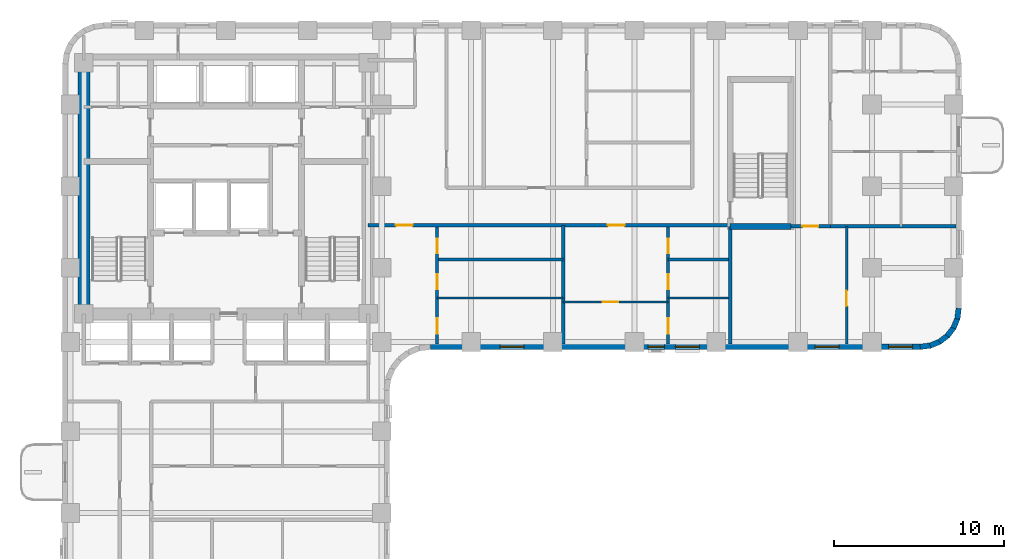
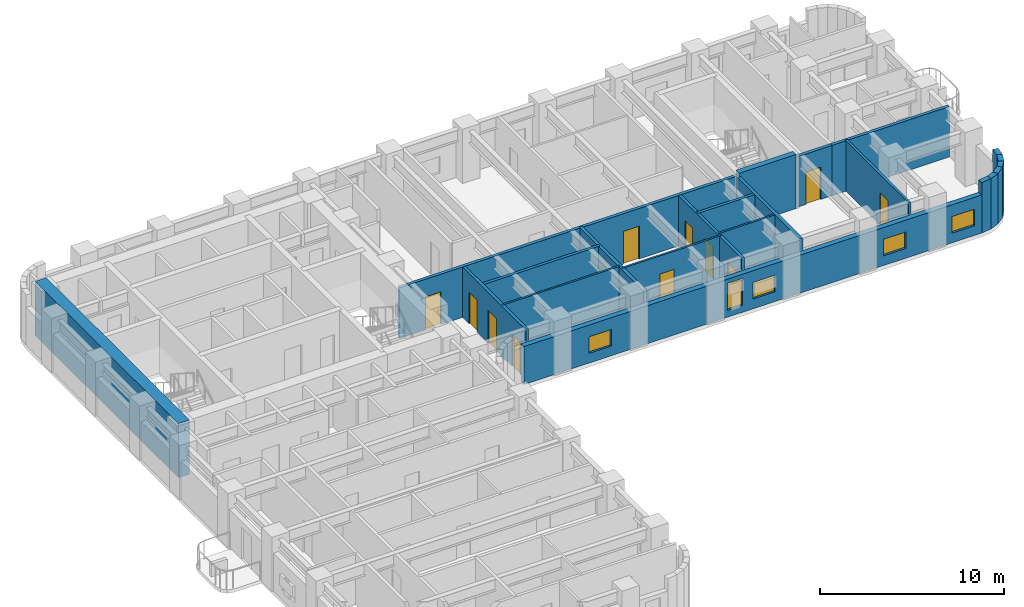
# One storey, part 6 of 12: 22 walls, 11 doors, 5 windows, 16 openings.
"""IFC4 building model written with IfcOpenShell, lengths in metres."""

from ifc_helpers import new_model, si_unit, direction, frame, frame_2d, origin, place, context, subcontext, project, spatial, rectangle, extrude, material, layer, layer_set, type_object, element, fill, save


model = new_model("IFC4")

# Units and contexts
model_context = context("Model", 3, precision=1e-05, world=origin(), true_north=direction((0.0, 1.0)))
body_context = subcontext(model_context, "Body", "Model", "MODEL_VIEW")
ifc_project = project(units=[si_unit("LENGTHUNIT", "METRE"), si_unit("AREAUNIT", "SQUARE_METRE"), si_unit("VOLUMEUNIT", "CUBIC_METRE"), si_unit("PLANEANGLEUNIT", "RADIAN"), si_unit("MASSUNIT", "GRAM", prefix="KILO")], contexts=[model_context])

# Site, building, storey
site_placement = place(None, origin())
site = spatial("IfcSite", under=ifc_project, at=site_placement, CompositionType="ELEMENT")
building_placement = place(site_placement, origin())
building = spatial("IfcBuilding", under=site, at=building_placement, Name="Orvandelia Arch Residences", CompositionType="ELEMENT")
storey_placement = place(building_placement, frame((0.0, 0.0, 71.800048828125)))
storey = spatial("IfcBuildingStorey", under=building, at=storey_placement, Name="L18", CompositionType="ELEMENT", Elevation=71.800048828125)

# Walls
ifc_material_1 = material(Name="Concrete C50/60", Category="concrete")
ifc_layer_1 = layer(ifc_material_1, 0.35009765625, Name="Concrete C50/60", Category="concrete")
ifc_layer_set_1 = layer_set([ifc_layer_1], Name="Concrete C50/60")
wall_type_1 = type_object("IfcWallType", Name="WL-CORE-350", PredefinedType="SHEAR", material=ifc_layer_set_1)
wall_1_placement = place(storey_placement, frame((44.02001953125, 36.0400390625, 0.0), z_axis=(0.0, 0.0, 1.0), x_axis=(1.0, 0.0, 0.0)))
element("IfcWall", 1, at=wall_1_placement, inside=storey, type_object=wall_type_1, Name="East Stair Core Shear Wall L18-S", PredefinedType="SHEAR", context=body_context, shape_type="SweptSolid", body=[
    extrude(rectangle(XDim=3.580078125, YDim=0.35009765625, at=frame_2d((1.7900390625, 0.0))), origin(), (0.0, 0.0, 1.0), 3.599853515625),
])
ifc_material_2 = material(Name="Concrete C80/95", Category="concrete")
ifc_layer_2 = layer(ifc_material_2, 0.699951171875, Name="Concrete C80/95", Category="concrete")
ifc_layer_set_2 = layer_set([ifc_layer_2], Name="Concrete C80/95")
wall_type_2 = type_object("IfcWallType", Name="WL-CORE-700", PredefinedType="SHEAR", material=ifc_layer_set_2)
wall_2_placement = place(storey_placement, frame((6.050048828125, 30.550048828125, 0.0), z_axis=(0.0, 0.0, 1.0), x_axis=(0.0, 1.0, 0.0)))
element("IfcWall", 2, at=wall_2_placement, inside=storey, type_object=wall_type_2, Name="Core Shear Wall L18-W", PredefinedType="SHEAR", context=body_context, shape_type="SweptSolid", body=[
    extrude(rectangle(XDim=15.599853515625, YDim=0.699951171875, at=frame_2d((7.7998046875, 0.0))), origin(), (0.0, 0.0, 1.0), 3.599853515625),
])

# Wall, openings, doors
ifc_material_3 = material(Name="Fire-Rated Corridor Partition")
ifc_layer_3 = layer(ifc_material_3, 0.199951171875, Name="Fire-Rated Corridor Partition")
ifc_layer_set_3 = layer_set([ifc_layer_3], Name="Fire-Rated Corridor Partition")
wall_type_3 = type_object("IfcWallType", Name="WL-CORR-200", PredefinedType="PARTITIONING", material=ifc_layer_set_3)
wall_3_placement = place(storey_placement, frame((22.75, 36.10009765625, 0.0), z_axis=(0.0, 0.0, 1.0), x_axis=(1.0, 0.0, 0.0)))
wall_3 = element("IfcWall", 3, at=wall_3_placement, inside=storey, type_object=wall_type_3, Name="Interior Partition Wall WL-L18-EM-S1", PredefinedType="PARTITIONING", context=body_context, shape_type="SweptSolid", body=[
    extrude(rectangle(XDim=21.27001953125, YDim=0.199951171875, at=frame_2d((10.635009765625, 0.0))), origin(), (0.0, 0.0, 1.0), 3.349853515625),
])
opening_1_placement = place(wall_3_placement, frame((1.62548828125, 0.0, 0.0)))
opening_1 = element("IfcOpeningElement", 4, at=opening_1_placement, cuts=wall_3, Name="Opening D1", PredefinedType="OPENING", context=body_context, shape_type="SweptSolid", body=[
    extrude(rectangle(XDim=0.97998046875, YDim=2.179931640625, at=frame_2d((0.489990234375, 1.08984375))), frame((0.0, 0.10986328125, 0.0), z_axis=(0.0, -1.0, 0.0), x_axis=(1.0, 0.0, 0.0)), (0.0, 0.0, 1.0), 0.219970703125),
])
opening_2_placement = place(wall_3_placement, frame((14.08447265625, 0.0, 0.0)))
opening_2 = element("IfcOpeningElement", 5, at=opening_2_placement, cuts=wall_3, Name="Opening D1", PredefinedType="OPENING", context=body_context, shape_type="SweptSolid", body=[
    extrude(rectangle(XDim=0.97998046875, YDim=2.179931640625, at=frame_2d((0.489990234375, 1.08984375))), frame((0.0, 0.10986328125, 0.0), z_axis=(0.0, -1.0, 0.0), x_axis=(1.0, 0.0, 0.0)), (0.0, 0.0, 1.0), 0.219970703125),
])
ifc_material_4 = material(Name="Solid-Core Timber Acoustic Fire Door", Category="wood")
door_type_1 = type_object("IfcDoorType", Name="DR-ENT-980", OperationType="NOTDEFINED", PredefinedType="DOOR", material=ifc_material_4)
door_1_placement = place(opening_1_placement, origin())
door_1 = element("IfcDoor", 6, at=door_1_placement, inside=storey, type_object=door_type_1, Name="Unit L18-04 Entrance Door", OperationType="SINGLE_SWING_RIGHT", OverallHeight=2.179931640625, OverallWidth=0.97998046875, PredefinedType="DOOR", context=body_context, shape_type="SweptSolid", body=[
    extrude(rectangle(XDim=0.97998046875, YDim=2.179931640625, at=frame_2d((0.489990234375, 1.08984375))), frame((0.0, 0.02490234375, 0.0), z_axis=(0.0, -1.0, 0.0), x_axis=(1.0, 0.0, 0.0)), (0.0, 0.0, 1.0), 0.050048828125),
])
fill(opening_1, door_1)
door_2_placement = place(opening_2_placement, origin())
door_2 = element("IfcDoor", 7, at=door_2_placement, inside=storey, type_object=door_type_1, Name="Unit L18-05 Entrance Door", OperationType="SINGLE_SWING_LEFT", OverallHeight=2.179931640625, OverallWidth=0.97998046875, PredefinedType="DOOR", context=body_context, shape_type="SweptSolid", body=[
    extrude(rectangle(XDim=0.97998046875, YDim=2.179931640625, at=frame_2d((0.489990234375, 1.08984375))), frame((0.0, 0.02490234375, 0.0), z_axis=(0.0, -1.0, 0.0), x_axis=(1.0, 0.0, 0.0)), (0.0, 0.0, 1.0), 0.050048828125),
])
fill(opening_2, door_2)

# Wall, opening, door
wall_4_placement = place(storey_placement, frame((47.60009765625, 36.0400390625, 0.0), z_axis=(0.0, 0.0, 1.0), x_axis=(1.0, 0.0, 0.0)))
wall_4 = element("IfcWall", 8, at=wall_4_placement, inside=storey, type_object=wall_type_3, Name="Interior Partition Wall WL-L18-ETE-S", PredefinedType="PARTITIONING", context=body_context, shape_type="SweptSolid", body=[
    extrude(rectangle(XDim=2.2998046875, YDim=0.199951171875, at=frame_2d((1.14990234375, 0.0))), origin(), (0.0, 0.0, 1.0), 3.349853515625),
])
opening_3_placement = place(wall_4_placement, frame((0.64990234375, 0.0, 0.0)))
opening_3 = element("IfcOpeningElement", 9, at=opening_3_placement, cuts=wall_4, Name="Opening D2", PredefinedType="OPENING", context=body_context, shape_type="SweptSolid", body=[
    extrude(rectangle(XDim=0.949951171875, YDim=2.14990234375, at=frame_2d((0.47509765625, 1.074951171875))), frame((0.0, 0.10986328125, 0.0), z_axis=(0.0, -1.0, 0.0), x_axis=(1.0, 0.0, 0.0)), (0.0, 0.0, 1.0), 0.219970703125),
])
ifc_material_5 = material(Name="Solid-Core Timber Interior Fire Door", Category="wood")
door_type_2 = type_object("IfcDoorType", Name="DR-APT-950", OperationType="NOTDEFINED", PredefinedType="DOOR", material=ifc_material_5)
door_3_placement = place(opening_3_placement, origin())
door_3 = element("IfcDoor", 10, at=door_3_placement, inside=storey, type_object=door_type_2, Name="DR-L18-EMS3", OperationType="SINGLE_SWING_LEFT", OverallHeight=2.14990234375, OverallWidth=0.949951171875, PredefinedType="DOOR", context=body_context, shape_type="SweptSolid", body=[
    extrude(rectangle(XDim=0.949951171875, YDim=2.14990234375, at=frame_2d((0.47509765625, 1.074951171875))), frame((0.0, 0.02490234375, 0.0), z_axis=(0.0, -1.0, 0.0), x_axis=(1.0, 0.0, 0.0)), (0.0, 0.0, 1.0), 0.050048828125),
])
fill(opening_3, door_3)

# Walls
ifc_material_6 = material(Name="Concrete C40/50", Category="concrete")
ifc_layer_4 = layer(ifc_material_6, 0.199951171875, Name="Concrete C40/50", Category="concrete")
ifc_layer_set_4 = layer_set([ifc_layer_4], Name="Concrete C40/50")
wall_type_4 = type_object("IfcWallType", Name="WL-DEM-200", PredefinedType="SOLIDWALL", material=ifc_layer_set_4)
wall_5_placement = place(storey_placement, frame((34.199951171875, 29.1201171875, 0.0), z_axis=(0.0, 0.0, 1.0), x_axis=(0.0, 1.0, 0.0)))
element("IfcWall", 11, at=wall_5_placement, inside=storey, type_object=wall_type_4, Name="Interior Partition Wall WL-L18-DEM-EMS-342", PredefinedType="SOLIDWALL", context=body_context, shape_type="SweptSolid", body=[
    extrude(rectangle(XDim=6.97998046875, YDim=0.199951171875, at=frame_2d((3.489990234375, 0.0))), origin(), (0.0, 0.0, 1.0), 3.349853515625),
])
wall_6_placement = place(storey_placement, frame((44.02001953125, 29.1201171875, 0.0), z_axis=(0.0, 0.0, 1.0), x_axis=(0.0, 1.0, 0.0)))
element("IfcWall", 12, at=wall_6_placement, inside=storey, type_object=wall_type_4, Name="Interior Partition Wall WL-L18-EMS3-W", PredefinedType="SOLIDWALL", context=body_context, shape_type="SweptSolid", body=[
    extrude(rectangle(XDim=6.919921875, YDim=0.199951171875, at=frame_2d((3.4599609375, 0.0))), origin(), (0.0, 0.0, 1.0), 3.349853515625),
])
wall_7_placement = place(storey_placement, frame((49.89990234375, 36.0400390625, 0.0), z_axis=(0.0, 0.0, 1.0), x_axis=(1.0, 0.0, 0.0)))
element("IfcWall", 13, at=wall_7_placement, inside=storey, type_object=wall_type_4, Name="Interior Partition Wall WL-L18-EMS3-N2", PredefinedType="SOLIDWALL", context=body_context, shape_type="SweptSolid", body=[
    extrude(rectangle(XDim=7.380126953125, YDim=0.199951171875, at=frame_2d((3.68994140625, 0.0))), origin(), (0.0, 0.0, 1.0), 3.349853515625),
])
ifc_material_7 = material(Name="Precast concrete C40/50", Category="concrete")
ifc_layer_5 = layer(ifc_material_7, 0.320068359375, Name="Precast concrete C40/50", Category="concrete")
ifc_layer_set_5 = layer_set([ifc_layer_5], Name="Precast concrete C40/50")
wall_type_5 = type_object("IfcWallType", Name="WL-EXT-STONE-320", PredefinedType="STANDARD", material=ifc_layer_set_5)
wall_8_placement = place(storey_placement, frame((57.44140625, 31.220947265625, 0.0), z_axis=(0.0, 0.0, 1.0), x_axis=(-0.130504898859, -0.991447664465, 0.0)))
element("IfcWall", 14, at=wall_8_placement, inside=storey, type_object=wall_type_5, Name="Coral-Limestone Precast Facade Wall L18-015", PredefinedType="STANDARD", context=body_context, shape_type="SweptSolid", body=[
    extrude(rectangle(XDim=0.626708984375, YDim=0.320068359375, at=frame_2d((0.3134765625, 0.0))), origin(), (0.0, 0.0, 1.0), 3.349853515625),
])
wall_9_placement = place(storey_placement, frame((57.370361328125, 30.639892578125, 0.0), z_axis=(0.0, 0.0, 1.0), x_axis=(-0.382787856107, -0.923836271867, 0.0)))
element("IfcWall", 15, at=wall_9_placement, inside=storey, type_object=wall_type_5, Name="Coral-Limestone Precast Facade Wall L18-016", PredefinedType="STANDARD", context=body_context, shape_type="SweptSolid", body=[
    extrude(rectangle(XDim=0.626220703125, YDim=0.320068359375, at=frame_2d((0.31298828125, 0.0))), origin(), (0.0, 0.0, 1.0), 3.349853515625),
])
wall_10_placement = place(storey_placement, frame((57.151611328125, 30.097412109375, 0.0), z_axis=(0.0, 0.0, 1.0), x_axis=(-0.608693302629, -0.793405610854, 0.0)))
element("IfcWall", 16, at=wall_10_placement, inside=storey, type_object=wall_type_5, Name="Coral-Limestone Precast Facade Wall L18-017", PredefinedType="STANDARD", context=body_context, shape_type="SweptSolid", body=[
    extrude(rectangle(XDim=0.62646484375, YDim=0.320068359375, at=frame_2d((0.313232421875, 0.0))), origin(), (0.0, 0.0, 1.0), 3.349853515625),
])
wall_11_placement = place(storey_placement, frame((56.7998046875, 29.6298828125, 0.0), z_axis=(0.0, 0.0, 1.0), x_axis=(-0.793361818833, -0.608750379399, 0.0)))
element("IfcWall", 17, at=wall_11_placement, inside=storey, type_object=wall_type_5, Name="Coral-Limestone Precast Facade Wall L18-018", PredefinedType="STANDARD", context=body_context, shape_type="SweptSolid", body=[
    extrude(rectangle(XDim=0.626953125, YDim=0.320068359375, at=frame_2d((0.3134765625, 0.0))), origin(), (0.0, 0.0, 1.0), 3.349853515625),
])
for number, where, z_axis, x_axis, name in (
    (18, (56.3388671875, 29.269287109375, 0.0), (0.0, 0.0, 1.0), (-0.92389335771, -0.382650053678, 0.0), "Coral-Limestone Precast Facade Wall L18-019"),
    (19, (55.80029296875, 29.040283203125, 0.0), (0.0, 0.0, 1.0), (-0.9914410257, -0.130555323746, 0.0), "Coral-Limestone Precast Facade Wall L18-020"),
):
    element("IfcWall", number, at=place(storey_placement, frame(where, z_axis=z_axis, x_axis=x_axis)), inside=storey, type_object=wall_type_5, Name=name, PredefinedType="STANDARD", context=body_context, shape_type="SweptSolid", body=[
        extrude(rectangle(XDim=0.62646484375, YDim=0.320068359375, at=frame_2d((0.313232421875, 0.0))), origin(), (0.0, 0.0, 1.0), 3.349853515625),
    ])

# Wall, openings, windows
wall_12_placement = place(storey_placement, frame((55.199951171875, 28.9599609375, 0.0), z_axis=(0.0, 0.0, 1.0), x_axis=(-1.0, 0.0, 0.0)))
wall_12 = element("IfcWall", 20, at=wall_12_placement, inside=storey, type_object=wall_type_5, Name="Coral-Limestone Precast Facade Wall L18-021", PredefinedType="STANDARD", context=body_context, shape_type="SweptSolid", body=[
    extrude(rectangle(XDim=28.800048828125, YDim=0.320068359375, at=frame_2d((14.39990234375, 0.0))), origin(), (0.0, 0.0, 1.0), 2.530029296875),
])
opening_4_placement = place(wall_12_placement, frame((23.300048828125, 0.0, 0.64990234375)))
opening_4 = element("IfcOpeningElement", 21, at=opening_4_placement, cuts=wall_12, Name="Opening W10", PredefinedType="OPENING", context=body_context, shape_type="SweptSolid", body=[
    extrude(rectangle(XDim=1.39990234375, YDim=1.10009765625, at=frame_2d((0.699951171875, 0.550048828125))), frame((0.0, 0.169921875, 0.0), z_axis=(0.0, -1.0, 0.0), x_axis=(1.0, 0.0, 0.0)), (0.0, 0.0, 1.0), 0.340087890625),
])
opening_5_placement = place(wall_12_placement, frame((13.00048828125, 0.0, 0.64990234375)))
opening_5 = element("IfcOpeningElement", 22, at=opening_5_placement, cuts=wall_12, Name="Opening W10", PredefinedType="OPENING", context=body_context, shape_type="SweptSolid", body=[
    extrude(rectangle(XDim=1.39990234375, YDim=1.10009765625, at=frame_2d((0.699951171875, 0.550048828125))), frame((0.0, 0.169921875, 0.0), z_axis=(0.0, -1.0, 0.0), x_axis=(1.0, 0.0, 0.0)), (0.0, 0.0, 1.0), 0.340087890625),
])
opening_6_placement = place(wall_12_placement, frame((4.7900390625, 0.0, 0.64990234375)))
opening_6 = element("IfcOpeningElement", 23, at=opening_6_placement, cuts=wall_12, Name="Opening W10", PredefinedType="OPENING", context=body_context, shape_type="SweptSolid", body=[
    extrude(rectangle(XDim=1.39990234375, YDim=1.10009765625, at=frame_2d((0.699951171875, 0.550048828125))), frame((0.0, 0.169921875, 0.0), z_axis=(0.0, -1.0, 0.0), x_axis=(1.0, 0.0, 0.0)), (0.0, 0.0, 1.0), 0.340087890625),
])
opening_7_placement = place(wall_12_placement, frame((0.469970703125, 0.0, 0.64990234375)))
opening_7 = element("IfcOpeningElement", 24, at=opening_7_placement, cuts=wall_12, Name="Opening W10", PredefinedType="OPENING", context=body_context, shape_type="SweptSolid", body=[
    extrude(rectangle(XDim=1.39990234375, YDim=1.10009765625, at=frame_2d((0.699951171875, 0.550048828125))), frame((0.0, 0.169921875, 0.0), z_axis=(0.0, -1.0, 0.0), x_axis=(1.0, 0.0, 0.0)), (0.0, 0.0, 1.0), 0.340087890625),
])
opening_8_placement = place(wall_12_placement, frame((15.055419921875, 0.0, 0.449951171875)))
opening_8 = element("IfcOpeningElement", 25, at=opening_8_placement, cuts=wall_12, Name="Opening W4", PredefinedType="OPENING", context=body_context, shape_type="SweptSolid", body=[
    extrude(rectangle(XDim=0.949951171875, YDim=1.800048828125, at=frame_2d((0.47509765625, 0.89990234375))), frame((0.0, 0.169921875, 0.0), z_axis=(0.0, -1.0, 0.0), x_axis=(1.0, 0.0, 0.0)), (0.0, 0.0, 1.0), 0.340087890625),
])
ifc_material_8 = material(Name="Tempered Low-E Insulated Glazing", Category="glass")
window_type_1 = type_object("IfcWindowType", Name="WIN-CLR-1400x1100", PartitioningType="SINGLE_PANEL", PredefinedType="WINDOW", material=ifc_material_8)
window_1_placement = place(opening_4_placement, origin())
window_1 = element("IfcWindow", 26, at=window_1_placement, inside=storey, type_object=window_type_1, Name="Recessed Punched Window L18-014", OverallHeight=1.10009765625, OverallWidth=1.39990234375, PartitioningType="SINGLE_PANEL", PredefinedType="WINDOW", context=body_context, shape_type="SweptSolid", body=[
    extrude(rectangle(XDim=1.39990234375, YDim=1.10009765625, at=frame_2d((0.699951171875, 0.550048828125))), frame((0.0, 0.030029296875, 0.0), z_axis=(0.0, -1.0, 0.0), x_axis=(1.0, 0.0, 0.0)), (0.0, 0.0, 1.0), 0.06005859375),
])
fill(opening_4, window_1)
window_2_placement = place(opening_5_placement, origin())
window_2 = element("IfcWindow", 27, at=window_2_placement, inside=storey, type_object=window_type_1, Name="Recessed Punched Window L18-015", OverallHeight=1.10009765625, OverallWidth=1.39990234375, PartitioningType="SINGLE_PANEL", PredefinedType="WINDOW", context=body_context, shape_type="SweptSolid", body=[
    extrude(rectangle(XDim=1.39990234375, YDim=1.10009765625, at=frame_2d((0.699951171875, 0.550048828125))), frame((0.0, 0.030029296875, 0.0), z_axis=(0.0, -1.0, 0.0), x_axis=(1.0, 0.0, 0.0)), (0.0, 0.0, 1.0), 0.06005859375),
])
fill(opening_5, window_2)
window_3_placement = place(opening_6_placement, origin())
window_3 = element("IfcWindow", 28, at=window_3_placement, inside=storey, type_object=window_type_1, Name="Recessed Punched Window L18-016", OverallHeight=1.10009765625, OverallWidth=1.39990234375, PartitioningType="SINGLE_PANEL", PredefinedType="WINDOW", context=body_context, shape_type="SweptSolid", body=[
    extrude(rectangle(XDim=1.39990234375, YDim=1.10009765625, at=frame_2d((0.699951171875, 0.550048828125))), frame((0.0, 0.030029296875, 0.0), z_axis=(0.0, -1.0, 0.0), x_axis=(1.0, 0.0, 0.0)), (0.0, 0.0, 1.0), 0.06005859375),
])
fill(opening_6, window_3)
window_4_placement = place(opening_7_placement, origin())
window_4 = element("IfcWindow", 29, at=window_4_placement, inside=storey, type_object=window_type_1, Name="Recessed Punched Window L18-017", OverallHeight=1.10009765625, OverallWidth=1.39990234375, PartitioningType="SINGLE_PANEL", PredefinedType="WINDOW", context=body_context, shape_type="SweptSolid", body=[
    extrude(rectangle(XDim=1.39990234375, YDim=1.10009765625, at=frame_2d((0.699951171875, 0.550048828125))), frame((0.0, 0.030029296875, 0.0), z_axis=(0.0, -1.0, 0.0), x_axis=(1.0, 0.0, 0.0)), (0.0, 0.0, 1.0), 0.06005859375),
])
fill(opening_7, window_4)
window_type_2 = type_object("IfcWindowType", Name="WIN-RES-0950x1800", PartitioningType="SINGLE_PANEL", PredefinedType="WINDOW", material=ifc_material_8)
window_5_placement = place(opening_8_placement, origin())
window_5 = element("IfcWindow", 30, at=window_5_placement, inside=storey, type_object=window_type_2, Name="Recessed Punched Window L18-018", OverallHeight=1.800048828125, OverallWidth=0.949951171875, PartitioningType="SINGLE_PANEL", PredefinedType="WINDOW", context=body_context, shape_type="SweptSolid", body=[
    extrude(rectangle(XDim=0.949951171875, YDim=1.800048828125, at=frame_2d((0.47509765625, 0.89990234375))), frame((0.0, 0.030029296875, 0.0), z_axis=(0.0, -1.0, 0.0), x_axis=(1.0, 0.0, 0.0)), (0.0, 0.0, 1.0), 0.06005859375),
])
fill(opening_8, window_5)

# Wall
ifc_material_9 = material(Name="Lightweight Gypsum Stud Partition")
ifc_layer_6 = layer(ifc_material_9, 0.1201171875, Name="Lightweight Gypsum Stud Partition")
ifc_layer_set_6 = layer_set([ifc_layer_6], Name="Lightweight Gypsum Stud Partition")
wall_type_6 = type_object("IfcWallType", Name="WL-PART-120", PredefinedType="PARTITIONING", material=ifc_layer_set_6)
wall_13_placement = place(storey_placement, frame((26.801025390625, 31.8359375, 0.0), z_axis=(0.0, 0.0, 1.0), x_axis=(1.0, 0.0, 0.0)))
element("IfcWall", 31, at=wall_13_placement, inside=storey, type_object=wall_type_6, Name="Interior Partition Wall WL-L18-U04-H1", PredefinedType="PARTITIONING", context=body_context, shape_type="SweptSolid", body=[
    extrude(rectangle(XDim=7.39892578125, YDim=0.1201171875, at=frame_2d((3.699462890625, 0.0))), origin(), (0.0, 0.0, 1.0), 3.349853515625),
])

# Wall, opening, door
wall_14_placement = place(storey_placement, frame((34.199951171875, 31.595947265625, 0.0), z_axis=(0.0, 0.0, 1.0), x_axis=(1.0, 0.0, 0.0)))
wall_14 = element("IfcWall", 32, at=wall_14_placement, inside=storey, type_object=wall_type_6, Name="Interior Partition Wall WL-L18-U05-DIN", PredefinedType="PARTITIONING", context=body_context, shape_type="SweptSolid", body=[
    extrude(rectangle(XDim=6.1689453125, YDim=0.1201171875, at=frame_2d((3.08447265625, 0.0))), origin(), (0.0, 0.0, 1.0), 3.349853515625),
])
opening_9_placement = place(wall_14_placement, frame((2.3349609375, 0.0, 0.0)))
opening_9 = element("IfcOpeningElement", 33, at=opening_9_placement, cuts=wall_14, Name="Opening D3", PredefinedType="OPENING", context=body_context, shape_type="SweptSolid", body=[
    extrude(rectangle(XDim=0.89990234375, YDim=2.14990234375, at=frame_2d((0.449951171875, 1.074951171875))), frame((0.0, 0.070068359375, 0.0), z_axis=(0.0, -1.0, 0.0), x_axis=(1.0, 0.0, 0.0)), (0.0, 0.0, 1.0), 0.14013671875),
])
ifc_material_10 = material(Name="Engineered Timber Flush Door", Category="wood")
door_type_3 = type_object("IfcDoorType", Name="DR-INT-900", OperationType="NOTDEFINED", PredefinedType="DOOR", material=ifc_material_10)
door_4_placement = place(opening_9_placement, origin())
door_4 = element("IfcDoor", 34, at=door_4_placement, inside=storey, type_object=door_type_3, Name="DR-L18-U05-DIN", OperationType="SINGLE_SWING_RIGHT", OverallHeight=2.14990234375, OverallWidth=0.89990234375, PredefinedType="DOOR", context=body_context, shape_type="SweptSolid", body=[
    extrude(rectangle(XDim=0.89990234375, YDim=2.14990234375, at=frame_2d((0.449951171875, 1.074951171875))), frame((0.0, 0.02490234375, 0.0), z_axis=(0.0, -1.0, 0.0), x_axis=(1.0, 0.0, 0.0)), (0.0, 0.0, 1.0), 0.050048828125),
])
fill(opening_9, door_4)

# Wall
wall_15_placement = place(storey_placement, frame((40.368896484375, 31.8359375, 0.0), z_axis=(0.0, 0.0, 1.0), x_axis=(1.0, 0.0, 0.0)))
element("IfcWall", 35, at=wall_15_placement, inside=storey, type_object=wall_type_6, Name="Interior Partition Wall WL-L18-U05-H1", PredefinedType="PARTITIONING", context=body_context, shape_type="SweptSolid", body=[
    extrude(rectangle(XDim=3.551025390625, YDim=0.1201171875, at=frame_2d((1.775390625, 0.0))), origin(), (0.0, 0.0, 1.0), 3.349853515625),
])

# Wall, opening, door
ifc_material_11 = material(Name="Acoustic Gypsum Stud Partition")
ifc_layer_7 = layer(ifc_material_11, 0.14990234375, Name="Acoustic Gypsum Stud Partition")
ifc_layer_set_7 = layer_set([ifc_layer_7], Name="Acoustic Gypsum Stud Partition")
wall_type_7 = type_object("IfcWallType", Name="WL-PART-150", PredefinedType="PARTITIONING", material=ifc_layer_set_7)
wall_16_placement = place(storey_placement, frame((50.85009765625, 29.1201171875, 0.0), z_axis=(0.0, 0.0, 1.0), x_axis=(0.0, 1.0, 0.0)))
wall_16 = element("IfcWall", 36, at=wall_16_placement, inside=storey, type_object=wall_type_7, Name="Interior Partition Wall WL-L18-EMS3-M", PredefinedType="PARTITIONING", context=body_context, shape_type="SweptSolid", body=[
    extrude(rectangle(XDim=6.919921875, YDim=0.14990234375, at=frame_2d((3.4599609375, 0.0))), origin(), (0.0, 0.0, 1.0), 3.349853515625),
])
opening_10_placement = place(wall_16_placement, frame((2.239990234375, 0.0, 0.0)))
opening_10 = element("IfcOpeningElement", 37, at=opening_10_placement, cuts=wall_16, Name="Opening D3", PredefinedType="OPENING", context=body_context, shape_type="SweptSolid", body=[
    extrude(rectangle(XDim=0.89990234375, YDim=2.14990234375, at=frame_2d((0.449951171875, 1.074951171875))), frame((0.0, 0.0849609375, 0.0), z_axis=(0.0, -1.0, 0.0), x_axis=(1.0, 0.0, 0.0)), (0.0, 0.0, 1.0), 0.169921875),
])
door_5_placement = place(opening_10_placement, origin())
door_5 = element("IfcDoor", 38, at=door_5_placement, inside=storey, type_object=door_type_3, Name="DR-L18-EMS3M", OperationType="SINGLE_SWING_RIGHT", OverallHeight=2.14990234375, OverallWidth=0.89990234375, PredefinedType="DOOR", context=body_context, shape_type="SweptSolid", body=[
    extrude(rectangle(XDim=0.89990234375, YDim=2.14990234375, at=frame_2d((0.449951171875, 1.074951171875))), frame((0.0, 0.02490234375, 0.0), z_axis=(0.0, -1.0, 0.0), x_axis=(1.0, 0.0, 0.0)), (0.0, 0.0, 1.0), 0.050048828125),
])
fill(opening_10, door_5)

# Wall, openings, doors
ifc_material_12 = material(Name="Moisture-Resistant Plumbing Wall")
ifc_layer_8 = layer(ifc_material_12, 0.179931640625, Name="Moisture-Resistant Plumbing Wall")
ifc_layer_set_8 = layer_set([ifc_layer_8], Name="Moisture-Resistant Plumbing Wall")
wall_type_8 = type_object("IfcWallType", Name="WL-WET-180", PredefinedType="PLUMBINGWALL", material=ifc_layer_set_8)
wall_17_placement = place(storey_placement, frame((26.801025390625, 29.1201171875, 0.0), z_axis=(0.0, 0.0, 1.0), x_axis=(0.0, 1.0, 0.0)))
wall_17 = element("IfcWall", 39, at=wall_17_placement, inside=storey, type_object=wall_type_8, Name="Interior Partition Wall WL-L18-U04-VT", PredefinedType="PLUMBINGWALL", context=body_context, shape_type="SweptSolid", body=[
    extrude(rectangle(XDim=6.8798828125, YDim=0.179931640625, at=frame_2d((3.43994140625, 0.0))), origin(), (0.0, 0.0, 1.0), 3.349853515625),
])
opening_11_placement = place(wall_17_placement, frame((0.61669921875, 0.0, 0.0)))
opening_11 = element("IfcOpeningElement", 40, at=opening_11_placement, cuts=wall_17, Name="Opening D3", PredefinedType="OPENING", context=body_context, shape_type="SweptSolid", body=[
    extrude(rectangle(XDim=0.89990234375, YDim=2.14990234375, at=frame_2d((0.449951171875, 1.074951171875))), frame((0.0, 0.10009765625, 0.0), z_axis=(0.0, -1.0, 0.0), x_axis=(1.0, 0.0, 0.0)), (0.0, 0.0, 1.0), 0.199951171875),
])
opening_12_placement = place(wall_17_placement, frame((3.21044921875, 0.0, 0.0)))
opening_12 = element("IfcOpeningElement", 41, at=opening_12_placement, cuts=wall_17, Name="Opening D3", PredefinedType="OPENING", context=body_context, shape_type="SweptSolid", body=[
    extrude(rectangle(XDim=0.89990234375, YDim=2.14990234375, at=frame_2d((0.449951171875, 1.074951171875))), frame((0.0, 0.10009765625, 0.0), z_axis=(0.0, -1.0, 0.0), x_axis=(1.0, 0.0, 0.0)), (0.0, 0.0, 1.0), 0.199951171875),
])
opening_13_placement = place(wall_17_placement, frame((5.331787109375, 0.0, 0.0)))
opening_13 = element("IfcOpeningElement", 42, at=opening_13_placement, cuts=wall_17, Name="Opening D4", PredefinedType="OPENING", context=body_context, shape_type="SweptSolid", body=[
    extrude(rectangle(XDim=0.860107421875, YDim=2.10009765625, at=frame_2d((0.43017578125, 1.050048828125))), frame((0.0, 0.10009765625, 0.0), z_axis=(0.0, -1.0, 0.0), x_axis=(1.0, 0.0, 0.0)), (0.0, 0.0, 1.0), 0.199951171875),
])
door_6_placement = place(opening_11_placement, origin())
door_6 = element("IfcDoor", 43, at=door_6_placement, inside=storey, type_object=door_type_3, Name="DR-L18-U04-BD1", OperationType="SINGLE_SWING_RIGHT", OverallHeight=2.14990234375, OverallWidth=0.89990234375, PredefinedType="DOOR", context=body_context, shape_type="SweptSolid", body=[
    extrude(rectangle(XDim=0.89990234375, YDim=2.14990234375, at=frame_2d((0.449951171875, 1.074951171875))), frame((0.0, 0.02490234375, 0.0), z_axis=(0.0, -1.0, 0.0), x_axis=(1.0, 0.0, 0.0)), (0.0, 0.0, 1.0), 0.050048828125),
])
fill(opening_11, door_6)
door_7_placement = place(opening_12_placement, origin())
door_7 = element("IfcDoor", 44, at=door_7_placement, inside=storey, type_object=door_type_3, Name="DR-L18-U04-KIT", OperationType="SINGLE_SWING_LEFT", OverallHeight=2.14990234375, OverallWidth=0.89990234375, PredefinedType="DOOR", context=body_context, shape_type="SweptSolid", body=[
    extrude(rectangle(XDim=0.89990234375, YDim=2.14990234375, at=frame_2d((0.449951171875, 1.074951171875))), frame((0.0, 0.02490234375, 0.0), z_axis=(0.0, -1.0, 0.0), x_axis=(1.0, 0.0, 0.0)), (0.0, 0.0, 1.0), 0.050048828125),
])
fill(opening_12, door_7)
ifc_material_13 = material(Name="Moisture-Sealed Timber Bathroom Door", Category="wood")
door_type_4 = type_object("IfcDoorType", Name="DR-WET-900", OperationType="NOTDEFINED", PredefinedType="DOOR", material=ifc_material_13)
door_8_placement = place(opening_13_placement, origin())
door_8 = element("IfcDoor", 45, at=door_8_placement, inside=storey, type_object=door_type_4, Name="DR-L18-U04-BTH", OperationType="SINGLE_SWING_RIGHT", OverallHeight=2.10009765625, OverallWidth=0.860107421875, PredefinedType="DOOR", context=body_context, shape_type="SweptSolid", body=[
    extrude(rectangle(XDim=0.860107421875, YDim=2.10009765625, at=frame_2d((0.43017578125, 1.050048828125))), frame((0.0, 0.02490234375, 0.0), z_axis=(0.0, -1.0, 0.0), x_axis=(1.0, 0.0, 0.0)), (0.0, 0.0, 1.0), 0.050048828125),
])
fill(opening_13, door_8)

# Wall
wall_18_placement = place(storey_placement, frame((26.801025390625, 34.0849609375, 0.0), z_axis=(0.0, 0.0, 1.0), x_axis=(1.0, 0.0, 0.0)))
element("IfcWall", 46, at=wall_18_placement, inside=storey, type_object=wall_type_8, Name="Interior Partition Wall WL-L18-U04-H2", PredefinedType="PLUMBINGWALL", context=body_context, shape_type="SweptSolid", body=[
    extrude(rectangle(XDim=7.39892578125, YDim=0.179931640625, at=frame_2d((3.699462890625, 0.0))), origin(), (0.0, 0.0, 1.0), 3.349853515625),
])

# Wall, openings, doors
wall_19_placement = place(storey_placement, frame((40.368896484375, 29.1201171875, 0.0), z_axis=(0.0, 0.0, 1.0), x_axis=(0.0, 1.0, 0.0)))
wall_19 = element("IfcWall", 47, at=wall_19_placement, inside=storey, type_object=wall_type_8, Name="Interior Partition Wall WL-L18-U05-VT", PredefinedType="PLUMBINGWALL", context=body_context, shape_type="SweptSolid", body=[
    extrude(rectangle(XDim=6.8798828125, YDim=0.179931640625, at=frame_2d((3.43994140625, 0.0))), origin(), (0.0, 0.0, 1.0), 3.349853515625),
])
opening_14_placement = place(wall_19_placement, frame((0.61669921875, 0.0, 0.0)))
opening_14 = element("IfcOpeningElement", 48, at=opening_14_placement, cuts=wall_19, Name="Opening D3", PredefinedType="OPENING", context=body_context, shape_type="SweptSolid", body=[
    extrude(rectangle(XDim=0.89990234375, YDim=2.14990234375, at=frame_2d((0.449951171875, 1.074951171875))), frame((0.0, 0.10009765625, 0.0), z_axis=(0.0, -1.0, 0.0), x_axis=(1.0, 0.0, 0.0)), (0.0, 0.0, 1.0), 0.199951171875),
])
opening_15_placement = place(wall_19_placement, frame((3.21044921875, 0.0, 0.0)))
opening_15 = element("IfcOpeningElement", 49, at=opening_15_placement, cuts=wall_19, Name="Opening D3", PredefinedType="OPENING", context=body_context, shape_type="SweptSolid", body=[
    extrude(rectangle(XDim=0.89990234375, YDim=2.14990234375, at=frame_2d((0.449951171875, 1.074951171875))), frame((0.0, 0.10009765625, 0.0), z_axis=(0.0, -1.0, 0.0), x_axis=(1.0, 0.0, 0.0)), (0.0, 0.0, 1.0), 0.199951171875),
])
opening_16_placement = place(wall_19_placement, frame((5.331787109375, 0.0, 0.0)))
opening_16 = element("IfcOpeningElement", 50, at=opening_16_placement, cuts=wall_19, Name="Opening D4", PredefinedType="OPENING", context=body_context, shape_type="SweptSolid", body=[
    extrude(rectangle(XDim=0.860107421875, YDim=2.10009765625, at=frame_2d((0.43017578125, 1.050048828125))), frame((0.0, 0.10009765625, 0.0), z_axis=(0.0, -1.0, 0.0), x_axis=(1.0, 0.0, 0.0)), (0.0, 0.0, 1.0), 0.199951171875),
])
door_9_placement = place(opening_14_placement, origin())
door_9 = element("IfcDoor", 51, at=door_9_placement, inside=storey, type_object=door_type_3, Name="DR-L18-U05-BD1", OperationType="SINGLE_SWING_LEFT", OverallHeight=2.14990234375, OverallWidth=0.89990234375, PredefinedType="DOOR", context=body_context, shape_type="SweptSolid", body=[
    extrude(rectangle(XDim=0.89990234375, YDim=2.14990234375, at=frame_2d((0.449951171875, 1.074951171875))), frame((0.0, 0.02490234375, 0.0), z_axis=(0.0, -1.0, 0.0), x_axis=(1.0, 0.0, 0.0)), (0.0, 0.0, 1.0), 0.050048828125),
])
fill(opening_14, door_9)
door_10_placement = place(opening_15_placement, origin())
door_10 = element("IfcDoor", 52, at=door_10_placement, inside=storey, type_object=door_type_3, Name="DR-L18-U05-KIT", OperationType="SINGLE_SWING_RIGHT", OverallHeight=2.14990234375, OverallWidth=0.89990234375, PredefinedType="DOOR", context=body_context, shape_type="SweptSolid", body=[
    extrude(rectangle(XDim=0.89990234375, YDim=2.14990234375, at=frame_2d((0.449951171875, 1.074951171875))), frame((0.0, 0.02490234375, 0.0), z_axis=(0.0, -1.0, 0.0), x_axis=(1.0, 0.0, 0.0)), (0.0, 0.0, 1.0), 0.050048828125),
])
fill(opening_15, door_10)
door_11_placement = place(opening_16_placement, origin())
door_11 = element("IfcDoor", 53, at=door_11_placement, inside=storey, type_object=door_type_4, Name="DR-L18-U05-BTH", OperationType="SINGLE_SWING_LEFT", OverallHeight=2.10009765625, OverallWidth=0.860107421875, PredefinedType="DOOR", context=body_context, shape_type="SweptSolid", body=[
    extrude(rectangle(XDim=0.860107421875, YDim=2.10009765625, at=frame_2d((0.43017578125, 1.050048828125))), frame((0.0, 0.02490234375, 0.0), z_axis=(0.0, -1.0, 0.0), x_axis=(1.0, 0.0, 0.0)), (0.0, 0.0, 1.0), 0.050048828125),
])
fill(opening_16, door_11)

# Wall
wall_20_placement = place(storey_placement, frame((40.368896484375, 34.0849609375, 0.0), z_axis=(0.0, 0.0, 1.0), x_axis=(1.0, 0.0, 0.0)))
element("IfcWall", 54, at=wall_20_placement, inside=storey, type_object=wall_type_8, Name="Interior Partition Wall WL-L18-U05-H2", PredefinedType="PLUMBINGWALL", context=body_context, shape_type="SweptSolid", body=[
    extrude(rectangle(XDim=3.551025390625, YDim=0.179931640625, at=frame_2d((1.775390625, 0.0))), origin(), (0.0, 0.0, 1.0), 3.349853515625),
])

save(model, "model.ifc")
